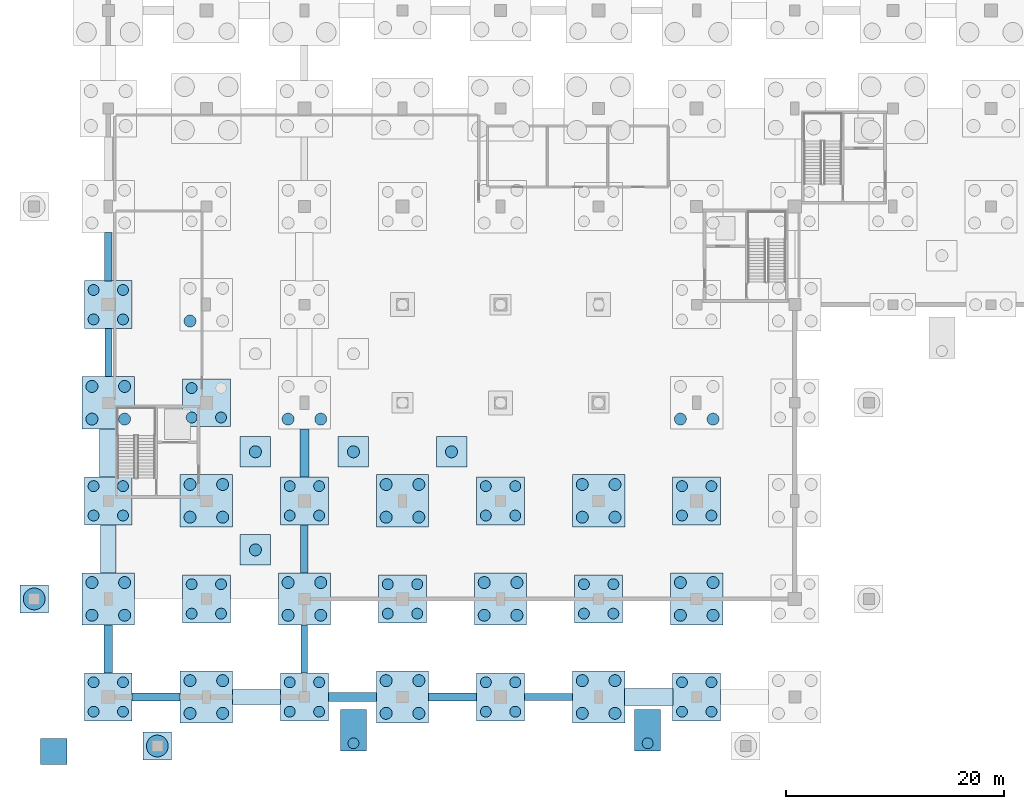
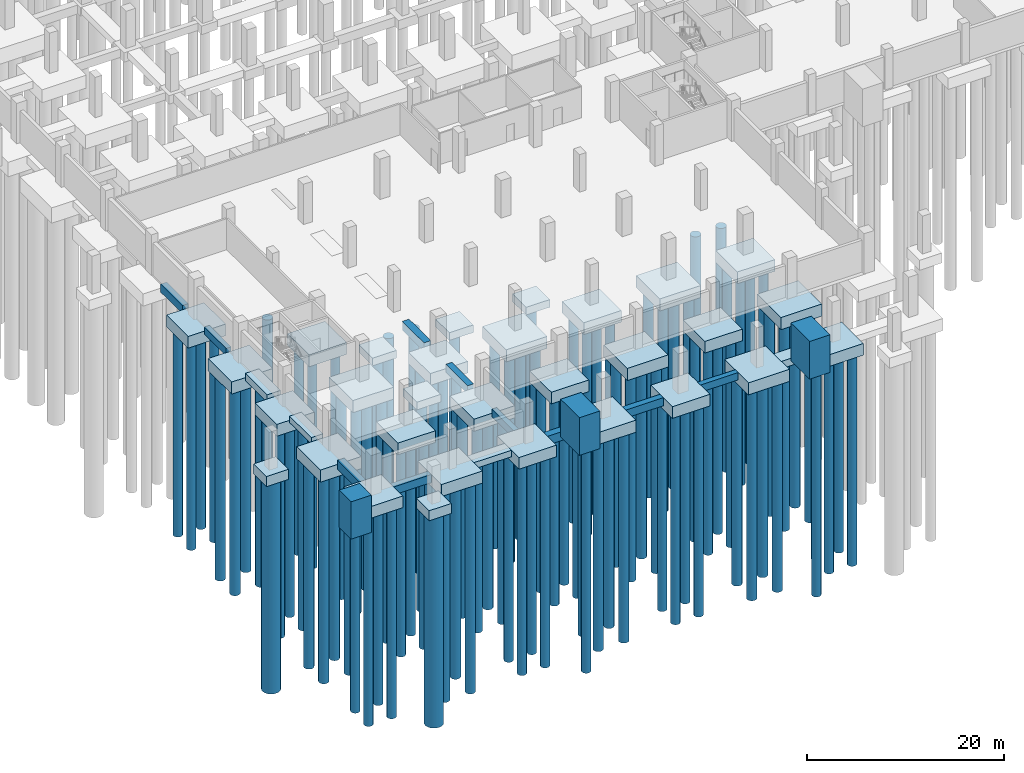
# One storey, part 1 of 37: 108 piles, 47 footings.
"""IFC4 building model written with IfcOpenShell, lengths in metres."""

from ifc_helpers import new_model, si_unit, direction, frame, origin, origin_2d, place, context, subcontext, project, spatial, rectangle, circle, extrude, material, material_profile, profile_set, type_object, element, save


model = new_model("IFC4")

# Units and contexts
model_context = context("Model", 3, precision=1e-05, world=origin(), true_north=direction((0.0, 1.0)))
body_context = subcontext(model_context, "Body", "Model", "MODEL_VIEW")
ifc_project = project(units=[si_unit("LENGTHUNIT", "METRE"), si_unit("AREAUNIT", "SQUARE_METRE"), si_unit("VOLUMEUNIT", "CUBIC_METRE"), si_unit("PLANEANGLEUNIT", "RADIAN"), si_unit("MASSUNIT", "GRAM", prefix="KILO")], contexts=[model_context])

# Site, building, storey
site_placement = place(None, origin())
site = spatial("IfcSite", under=ifc_project, at=site_placement, CompositionType="ELEMENT")
building_placement = place(site_placement, origin())
building = spatial("IfcBuilding", under=site, at=building_placement, Name="Barlavento Convention Centre", CompositionType="ELEMENT")
storey_placement = place(building_placement, frame((0.0, 0.0, -5.0)))
storey = spatial("IfcBuildingStorey", under=building, at=storey_placement, Name="B1", CompositionType="ELEMENT", Elevation=-5.0)

# Footings
ifc_material = material(Name="Concrete C40/50", Category="concrete")
footing_type_1 = type_object("IfcFootingType", Name="STR-FND-GB-600X900", PredefinedType="FOOTING_BEAM", material=ifc_material)
footing_1_placement = place(storey_placement, frame((40.39990234375, 0.0, -0.89990234375), z_axis=(0.0, 0.0, 1.0), x_axis=(1.0, 0.0, 0.0)))
element("IfcFooting", 1, at=footing_1_placement, inside=storey, type_object=footing_type_1, Name="Ground tie footing GB01", PredefinedType="FOOTING_BEAM", context=body_context, shape_type="SweptSolid", body=[
    extrude(rectangle(XDim=4.409912109375, YDim=0.60009765625, at=origin_2d()), origin(), (0.0, 0.0, 1.0), 0.89990234375),
])
for number, where, z_axis, x_axis, name in (
    (2, (0.0, 31.60009765625, -0.89990234375), (0.0, 0.0, 1.0), (1.0, 0.0, 0.0), "Ground tie footing GB01"),
    (3, (18.0, 4.39990234375, -0.89990234375), (0.0, 0.0, 1.0), (1.0, 0.0, 0.0), "Ground tie footing GB01"),
):
    element("IfcFooting", number, at=place(storey_placement, frame(where, z_axis=z_axis, x_axis=x_axis)), inside=storey, type_object=footing_type_1, Name=name, PredefinedType="FOOTING_BEAM", context=body_context, shape_type="SweptSolid", body=[
        extrude(rectangle(XDim=0.60009765625, YDim=4.409912109375, at=origin_2d()), origin(), (0.0, 0.0, 1.0), 0.89990234375),
    ])
footing_type_2 = type_object("IfcFootingType", Name="STR-FND-GB-700X1000", PredefinedType="FOOTING_BEAM", material=ifc_material)
for number, where, z_axis, x_axis, name in (
    (4, (4.39990234375, 0.0, -1.0), (0.0, 0.0, 1.0), (1.0, 0.0, 0.0), "Ground tie footing GB02"),
    (5, (31.60009765625, 0.0, -1.0), (0.0, 0.0, 1.0), (1.0, 0.0, 0.0), "Ground tie footing GB02"),
):
    element("IfcFooting", number, at=place(storey_placement, frame(where, z_axis=z_axis, x_axis=x_axis)), inside=storey, type_object=footing_type_2, Name=name, PredefinedType="FOOTING_BEAM", context=body_context, shape_type="SweptSolid", body=[
        extrude(rectangle(XDim=4.409912109375, YDim=0.699951171875, at=origin_2d()), origin(), (0.0, 0.0, 1.0), 1.0),
    ])
for number, where, z_axis, x_axis, name in (
    (6, (0.0, 40.39990234375, -1.0), (0.0, 0.0, 1.0), (1.0, 0.0, 0.0), "Ground tie footing GB02"),
    (7, (18.0, 13.60009765625, -1.0), (0.0, 0.0, 1.0), (1.0, 0.0, 0.0), "Ground tie footing GB02"),
):
    element("IfcFooting", number, at=place(storey_placement, frame(where, z_axis=z_axis, x_axis=x_axis)), inside=storey, type_object=footing_type_2, Name=name, PredefinedType="FOOTING_BEAM", context=body_context, shape_type="SweptSolid", body=[
        extrude(rectangle(XDim=0.699951171875, YDim=4.409912109375, at=origin_2d()), origin(), (0.0, 0.0, 1.0), 1.0),
    ])
footing_type_3 = type_object("IfcFootingType", Name="STR-FND-GB-800X1100", PredefinedType="FOOTING_BEAM", material=ifc_material)
footing_2_placement = place(storey_placement, frame((22.39990234375, 0.0, -1.10009765625), z_axis=(0.0, 0.0, 1.0), x_axis=(1.0, 0.0, 0.0)))
element("IfcFooting", 8, at=footing_2_placement, inside=storey, type_object=footing_type_3, Name="Ground tie footing GB03", PredefinedType="FOOTING_BEAM", context=body_context, shape_type="SweptSolid", body=[
    extrude(rectangle(XDim=4.409912109375, YDim=0.800048828125, at=origin_2d()), origin(), (0.0, 0.0, 1.0), 1.10009765625),
])
for number, where, z_axis, x_axis, name in (
    (9, (0.0, 4.39990234375, -1.10009765625), (0.0, 0.0, 1.0), (1.0, 0.0, 0.0), "Ground tie footing GB03"),
    (10, (18.0, 22.39990234375, -1.10009765625), (0.0, 0.0, 1.0), (1.0, 0.0, 0.0), "Ground tie footing GB03"),
):
    element("IfcFooting", number, at=place(storey_placement, frame(where, z_axis=z_axis, x_axis=x_axis)), inside=storey, type_object=footing_type_3, Name=name, PredefinedType="FOOTING_BEAM", context=body_context, shape_type="SweptSolid", body=[
        extrude(rectangle(XDim=0.800048828125, YDim=4.409912109375, at=origin_2d()), origin(), (0.0, 0.0, 1.0), 1.10009765625),
    ])
footing_type_4 = type_object("IfcFootingType", Name="STR-FND-PAD-2800", PredefinedType="PAD_FOOTING", material=ifc_material)
for number, where, z_axis, x_axis, name in (
    (11, (13.5, 13.5, -1.47021484375), (0.0, 0.0, 1.0), (1.0, 0.0, 0.0), "B1 heavy plant equipment pad footing FND-EQP-0305"),
    (12, (13.5, 22.5, -1.47021484375), (0.0, 0.0, 1.0), (1.0, 0.0, 0.0), "B1 heavy plant equipment pad footing FND-EQP-0306"),
    (13, (22.5, 22.5, -1.47021484375), (0.0, 0.0, 1.0), (1.0, 0.0, 0.0), "B1 heavy plant equipment pad footing FND-EQP-0308"),
    (14, (31.5, 22.5, -1.47021484375), (0.0, 0.0, 1.0), (1.0, 0.0, 0.0), "B1 heavy plant equipment pad footing FND-EQP-0310"),
):
    element("IfcFooting", number, at=place(storey_placement, frame(where, z_axis=z_axis, x_axis=x_axis)), inside=storey, type_object=footing_type_4, Name=name, PredefinedType="PAD_FOOTING", context=body_context, shape_type="SweptSolid", body=[
        extrude(rectangle(XDim=2.800048828125, YDim=2.800048828125, at=origin_2d()), origin(), (0.0, 0.0, 1.0), 0.949951171875),
    ])
footing_type_5 = type_object("IfcFootingType", Name="STR-FND-PAD-APR-2400", PredefinedType="PAD_FOOTING", material=ifc_material)
footing_3_placement = place(storey_placement, frame((-5.0, -5.0, 0.0), z_axis=(0.0, 0.0, 1.0), x_axis=(1.0, 0.0, 0.0)))
element("IfcFooting", 15, at=footing_3_placement, inside=storey, type_object=footing_type_5, Name="Perimeter plaza apron foundation pad FND-PAD-APR-01", PredefinedType="PAD_FOOTING", context=body_context, shape_type="SweptSolid", body=[
    extrude(rectangle(XDim=2.39990234375, YDim=2.39990234375, at=origin_2d()), origin(), (0.0, 0.0, 1.0), 4.639892578125),
])
footing_type_6 = type_object("IfcFootingType", Name="STR-FND-PC-2600", PredefinedType="PILE_CAP", material=ifc_material)
for number, where, z_axis, x_axis, name in (
    (16, (4.5, -4.5, -1.25), (0.0, 0.0, 1.0), (1.0, 0.0, 0.0), "Canopy V-strut anchor pile cap FND-CAP-0315"),
    (17, (-6.800048828125, 9.0, -1.25), (0.0, 0.0, 1.0), (1.0, 0.0, 0.0), "Canopy V-strut anchor pile cap FND-CAP-0317"),
):
    element("IfcFooting", number, at=place(storey_placement, frame(where, z_axis=z_axis, x_axis=x_axis)), inside=storey, type_object=footing_type_6, Name=name, PredefinedType="PILE_CAP", context=body_context, shape_type="SweptSolid", body=[
        extrude(rectangle(XDim=2.60009765625, YDim=2.60009765625, at=origin_2d()), origin(), (0.0, 0.0, 1.0), 1.25),
    ])
footing_type_7 = type_object("IfcFootingType", Name="STR-FND-PC4-4400", PredefinedType="PILE_CAP", material=ifc_material)
for number, where, z_axis, x_axis, name in (
    (18, (0.0, 0.0, -1.4501953125), (0.0, 0.0, 1.0), (1.0, 0.0, 0.0), "Pile cap PC07 at 1-A"),
    (19, (0.0, 18.0, -1.97021484375), (0.0, 0.0, 1.0), (1.0, 0.0, 0.0), "Pile cap PC07 at 1-C"),
    (20, (0.0, 36.0, -1.97021484375), (0.0, 0.0, 1.0), (1.0, 0.0, 0.0), "Pile cap PC07 at 1-E"),
    (21, (9.0, 9.0, -1.97021484375), (0.0, 0.0, 1.0), (1.0, 0.0, 0.0), "Pile cap PC07 at 2-B"),
    (22, (9.0, 27.0, -1.97021484375), (0.0, 0.0, 1.0), (1.0, 0.0, 0.0), "Pile cap PC07 at 2-D"),
    (23, (18.0, 0.0, -1.4501953125), (0.0, 0.0, 1.0), (1.0, 0.0, 0.0), "Pile cap PC07 at 3-A"),
    (24, (18.0, 18.0, -1.97021484375), (0.0, 0.0, 1.0), (1.0, 0.0, 0.0), "Pile cap PC07 at 3-C"),
    (25, (27.0, 9.0, -1.97021484375), (0.0, 0.0, 1.0), (1.0, 0.0, 0.0), "Pile cap PC07 at 4-B"),
    (26, (36.0, 0.0, -1.4501953125), (0.0, 0.0, 1.0), (1.0, 0.0, 0.0), "Pile cap PC07 at 5-A"),
    (27, (36.0, 18.0, -1.97021484375), (0.0, 0.0, 1.0), (1.0, 0.0, 0.0), "Pile cap PC07 at 5-C"),
    (28, (45.0, 9.0, -1.97021484375), (0.0, 0.0, 1.0), (1.0, 0.0, 0.0), "Pile cap PC07 at 6-B"),
    (29, (54.0, 0.0, -1.4501953125), (0.0, 0.0, 1.0), (1.0, 0.0, 0.0), "Pile cap PC07 at 7-A"),
    (30, (54.0, 18.0, -1.97021484375), (0.0, 0.0, 1.0), (1.0, 0.0, 0.0), "Pile cap PC07 at 7-C"),
):
    element("IfcFooting", number, at=place(storey_placement, frame(where, z_axis=z_axis, x_axis=x_axis)), inside=storey, type_object=footing_type_7, Name=name, PredefinedType="PILE_CAP", context=body_context, shape_type="SweptSolid", body=[
        extrude(rectangle(XDim=4.39990234375, YDim=4.39990234375, at=origin_2d()), origin(), (0.0, 0.0, 1.0), 1.449951171875),
    ])
footing_type_8 = type_object("IfcFootingType", Name="STR-FND-PC4-4800", PredefinedType="PILE_CAP", material=ifc_material)
for number, where, z_axis, x_axis, name in (
    (31, (0.0, 9.0, -2.02001953125), (0.0, 0.0, 1.0), (1.0, 0.0, 0.0), "Pile cap PC08 at 1-B"),
    (32, (0.0, 27.0, -2.02001953125), (0.0, 0.0, 1.0), (1.0, 0.0, 0.0), "Pile cap PC08 at 1-D"),
    (33, (9.0, 0.0, -1.5), (0.0, 0.0, 1.0), (1.0, 0.0, 0.0), "Pile cap PC08 at 2-A"),
    (34, (9.0, 18.0, -2.02001953125), (0.0, 0.0, 1.0), (1.0, 0.0, 0.0), "Pile cap PC08 at 2-C"),
    (35, (18.0, 9.0, -2.02001953125), (0.0, 0.0, 1.0), (1.0, 0.0, 0.0), "Pile cap PC08 at 3-B"),
    (36, (27.0, 0.0, -1.5), (0.0, 0.0, 1.0), (1.0, 0.0, 0.0), "Pile cap PC08 at 4-A"),
    (37, (27.0, 18.0, -2.02001953125), (0.0, 0.0, 1.0), (1.0, 0.0, 0.0), "Pile cap PC08 at 4-C"),
    (38, (36.0, 9.0, -2.02001953125), (0.0, 0.0, 1.0), (1.0, 0.0, 0.0), "Pile cap PC08 at 5-B"),
    (39, (45.0, 0.0, -1.5), (0.0, 0.0, 1.0), (1.0, 0.0, 0.0), "Pile cap PC08 at 6-A"),
    (40, (45.0, 18.0, -2.02001953125), (0.0, 0.0, 1.0), (1.0, 0.0, 0.0), "Pile cap PC08 at 6-C"),
    (41, (54.0, 9.0, -2.02001953125), (0.0, 0.0, 1.0), (1.0, 0.0, 0.0), "Pile cap PC08 at 7-B"),
):
    element("IfcFooting", number, at=place(storey_placement, frame(where, z_axis=z_axis, x_axis=x_axis)), inside=storey, type_object=footing_type_8, Name=name, PredefinedType="PILE_CAP", context=body_context, shape_type="SweptSolid", body=[
        extrude(rectangle(XDim=4.800048828125, YDim=4.800048828125, at=origin_2d()), origin(), (0.0, 0.0, 1.0), 1.5),
    ])
footing_type_9 = type_object("IfcFootingType", Name="STR-FND-RMP-PAD", PredefinedType="PAD_FOOTING", material=ifc_material)
for number, where, z_axis, x_axis, name in (
    (42, (22.5, -3.050048828125, 0.0), (0.0, 0.0, 1.0), (1.0, 0.0, 0.0), "Approach ramp foundation pad AR-01"),
    (43, (49.5, -3.050048828125, 0.0), (0.0, 0.0, 1.0), (1.0, 0.0, 0.0), "Approach ramp foundation pad AR-01"),
):
    element("IfcFooting", number, at=place(storey_placement, frame(where, z_axis=z_axis, x_axis=x_axis)), inside=storey, type_object=footing_type_9, Name=name, PredefinedType="PAD_FOOTING", context=body_context, shape_type="SweptSolid", body=[
        extrude(rectangle(XDim=2.39990234375, YDim=3.800048828125, at=origin_2d()), origin(), (0.0, 0.0, 1.0), 4.679931640625),
    ])
footing_type_10 = type_object("IfcFootingType", Name="STR-FND-SF-1400X800", PredefinedType="STRIP_FOOTING", material=ifc_material)
footing_4_placement = place(storey_placement, frame((13.60009765625, 0.0, -0.7998046875), z_axis=(0.0, 0.0, 1.0), x_axis=(1.0, 0.0, 0.0)))
element("IfcFooting", 44, at=footing_4_placement, inside=storey, type_object=footing_type_10, Name="Ground tie footing SF01", PredefinedType="STRIP_FOOTING", context=body_context, shape_type="SweptSolid", body=[
    extrude(rectangle(XDim=4.409912109375, YDim=1.39990234375, at=origin_2d()), origin(), (0.0, 0.0, 1.0), 0.800048828125),
])
footing_5_placement = place(storey_placement, frame((0.0, 13.60009765625, -0.7998046875), z_axis=(0.0, 0.0, 1.0), x_axis=(1.0, 0.0, 0.0)))
element("IfcFooting", 45, at=footing_5_placement, inside=storey, type_object=footing_type_10, Name="Ground tie footing SF01", PredefinedType="STRIP_FOOTING", context=body_context, shape_type="SweptSolid", body=[
    extrude(rectangle(XDim=1.39990234375, YDim=4.409912109375, at=origin_2d()), origin(), (0.0, 0.0, 1.0), 0.800048828125),
])
footing_type_11 = type_object("IfcFootingType", Name="STR-FND-SF-1600X900", PredefinedType="STRIP_FOOTING", material=ifc_material)
footing_6_placement = place(storey_placement, frame((49.60009765625, 0.0, -0.89990234375), z_axis=(0.0, 0.0, 1.0), x_axis=(1.0, 0.0, 0.0)))
element("IfcFooting", 46, at=footing_6_placement, inside=storey, type_object=footing_type_11, Name="Ground tie footing SF02", PredefinedType="STRIP_FOOTING", context=body_context, shape_type="SweptSolid", body=[
    extrude(rectangle(XDim=4.409912109375, YDim=1.60009765625, at=origin_2d()), origin(), (0.0, 0.0, 1.0), 0.89990234375),
])
footing_7_placement = place(storey_placement, frame((0.0, 22.39990234375, -0.89990234375), z_axis=(0.0, 0.0, 1.0), x_axis=(1.0, 0.0, 0.0)))
element("IfcFooting", 47, at=footing_7_placement, inside=storey, type_object=footing_type_11, Name="Ground tie footing SF02", PredefinedType="STRIP_FOOTING", context=body_context, shape_type="SweptSolid", body=[
    extrude(rectangle(XDim=1.60009765625, YDim=4.409912109375, at=origin_2d()), origin(), (0.0, 0.0, 1.0), 0.89990234375),
])

# Piles
ifc_material_profile_1 = material_profile(ifc_material, circle(Radius=0.5, at=origin_2d()), Name="BORED PILE 1000")
ifc_profile_set_1 = profile_set([ifc_material_profile_1], Name="Concrete C40/50")
pile_type_1 = type_object("IfcPileType", Name="STR-PIL-B1000", PredefinedType="BORED", material=ifc_profile_set_1)
for number, where, z_axis, x_axis, name in (
    (48, (-1.35009765625, -1.35009765625, -1.35009765625), (0.0, 0.0, -1.0), (1.0, 0.0, 0.0), "Bored pile P10 under FND-CAP-0001"),
    (49, (1.35009765625, -1.35009765625, -1.35009765625), (0.0, 0.0, -1.0), (1.0, 0.0, 0.0), "Bored pile P10 under FND-CAP-0001"),
    (50, (-1.35009765625, 1.35009765625, -1.35009765625), (0.0, 0.0, -1.0), (1.0, 0.0, 0.0), "Bored pile P10 under FND-CAP-0001"),
    (51, (1.35009765625, 1.35009765625, -1.35009765625), (0.0, 0.0, -1.0), (1.0, 0.0, 0.0), "Bored pile P10 under FND-CAP-0001"),
):
    element("IfcPile", number, at=place(storey_placement, frame(where, z_axis=z_axis, x_axis=x_axis)), inside=storey, type_object=pile_type_1, Name=name, PredefinedType="BORED", context=body_context, shape_type="SweptSolid", body=[
        extrude(circle(Radius=0.5, at=origin_2d()), origin(), (0.0, 0.0, 1.0), 26.14990234375),
    ])
for number, where, z_axis, x_axis, name in (
    (52, (-1.35009765625, 16.64990234375, -1.8701171875), (0.0, 0.0, -1.0), (1.0, 0.0, 0.0), "Bored pile P10 under FND-CAP-0003"),
    (53, (1.35009765625, 16.64990234375, -1.8701171875), (0.0, 0.0, -1.0), (1.0, 0.0, 0.0), "Bored pile P10 under FND-CAP-0003"),
    (54, (-1.35009765625, 19.35009765625, -1.8701171875), (0.0, 0.0, -1.0), (1.0, 0.0, 0.0), "Bored pile P10 under FND-CAP-0003"),
    (55, (1.35009765625, 19.35009765625, -1.8701171875), (0.0, 0.0, -1.0), (1.0, 0.0, 0.0), "Bored pile P10 under FND-CAP-0003"),
    (56, (-1.35009765625, 34.64990234375, -1.8701171875), (0.0, 0.0, -1.0), (1.0, 0.0, 0.0), "Bored pile P10 under FND-CAP-0005"),
    (57, (1.35009765625, 34.64990234375, -1.8701171875), (0.0, 0.0, -1.0), (1.0, 0.0, 0.0), "Bored pile P10 under FND-CAP-0005"),
    (58, (-1.35009765625, 37.35009765625, -1.8701171875), (0.0, 0.0, -1.0), (1.0, 0.0, 0.0), "Bored pile P10 under FND-CAP-0005"),
    (59, (1.35009765625, 37.35009765625, -1.8701171875), (0.0, 0.0, -1.0), (1.0, 0.0, 0.0), "Bored pile P10 under FND-CAP-0005"),
    (60, (7.64990234375, 7.64990234375, -1.8701171875), (0.0, 0.0, -1.0), (1.0, 0.0, 0.0), "Bored pile P10 under FND-CAP-0015"),
    (61, (10.35009765625, 7.64990234375, -1.8701171875), (0.0, 0.0, -1.0), (1.0, 0.0, 0.0), "Bored pile P10 under FND-CAP-0015"),
    (62, (7.64990234375, 10.35009765625, -1.8701171875), (0.0, 0.0, -1.0), (1.0, 0.0, 0.0), "Bored pile P10 under FND-CAP-0015"),
    (63, (10.35009765625, 10.35009765625, -1.8701171875), (0.0, 0.0, -1.0), (1.0, 0.0, 0.0), "Bored pile P10 under FND-CAP-0015"),
    (64, (7.64990234375, 25.64990234375, -1.8701171875), (0.0, 0.0, -1.0), (1.0, 0.0, 0.0), "Bored pile P10 under FND-CAP-0017"),
    (65, (10.35009765625, 25.64990234375, -1.8701171875), (0.0, 0.0, -1.0), (1.0, 0.0, 0.0), "Bored pile P10 under FND-CAP-0017"),
    (66, (7.64990234375, 28.35009765625, -1.8701171875), (0.0, 0.0, -1.0), (1.0, 0.0, 0.0), "Bored pile P10 under FND-CAP-0017"),
):
    element("IfcPile", number, at=place(storey_placement, frame(where, z_axis=z_axis, x_axis=x_axis)), inside=storey, type_object=pile_type_1, Name=name, PredefinedType="BORED", context=body_context, shape_type="SweptSolid", body=[
        extrude(circle(Radius=0.5, at=origin_2d()), origin(), (0.0, 0.0, 1.0), 25.6298828125),
    ])
for number, where, z_axis, x_axis, name in (
    (67, (16.64990234375, -1.35009765625, -1.35009765625), (0.0, 0.0, -1.0), (1.0, 0.0, 0.0), "Bored pile P10 under FND-CAP-0029"),
    (68, (19.35009765625, -1.35009765625, -1.35009765625), (0.0, 0.0, -1.0), (1.0, 0.0, 0.0), "Bored pile P10 under FND-CAP-0029"),
    (69, (16.64990234375, 1.35009765625, -1.35009765625), (0.0, 0.0, -1.0), (1.0, 0.0, 0.0), "Bored pile P10 under FND-CAP-0029"),
    (70, (19.35009765625, 1.35009765625, -1.35009765625), (0.0, 0.0, -1.0), (1.0, 0.0, 0.0), "Bored pile P10 under FND-CAP-0029"),
):
    element("IfcPile", number, at=place(storey_placement, frame(where, z_axis=z_axis, x_axis=x_axis)), inside=storey, type_object=pile_type_1, Name=name, PredefinedType="BORED", context=body_context, shape_type="SweptSolid", body=[
        extrude(circle(Radius=0.5, at=origin_2d()), origin(), (0.0, 0.0, 1.0), 26.14990234375),
    ])
for number, where, z_axis, x_axis, name in (
    (71, (16.64990234375, 16.64990234375, -1.8701171875), (0.0, 0.0, -1.0), (1.0, 0.0, 0.0), "Bored pile P10 under FND-CAP-0031"),
    (72, (19.35009765625, 16.64990234375, -1.8701171875), (0.0, 0.0, -1.0), (1.0, 0.0, 0.0), "Bored pile P10 under FND-CAP-0031"),
    (73, (16.64990234375, 19.35009765625, -1.8701171875), (0.0, 0.0, -1.0), (1.0, 0.0, 0.0), "Bored pile P10 under FND-CAP-0031"),
    (74, (19.35009765625, 19.35009765625, -1.8701171875), (0.0, 0.0, -1.0), (1.0, 0.0, 0.0), "Bored pile P10 under FND-CAP-0031"),
    (75, (25.64990234375, 7.64990234375, -1.8701171875), (0.0, 0.0, -1.0), (1.0, 0.0, 0.0), "Bored pile P10 under FND-CAP-0045"),
    (76, (28.35009765625, 7.64990234375, -1.8701171875), (0.0, 0.0, -1.0), (1.0, 0.0, 0.0), "Bored pile P10 under FND-CAP-0045"),
    (77, (25.64990234375, 10.35009765625, -1.8701171875), (0.0, 0.0, -1.0), (1.0, 0.0, 0.0), "Bored pile P10 under FND-CAP-0045"),
    (78, (28.35009765625, 10.35009765625, -1.8701171875), (0.0, 0.0, -1.0), (1.0, 0.0, 0.0), "Bored pile P10 under FND-CAP-0045"),
):
    element("IfcPile", number, at=place(storey_placement, frame(where, z_axis=z_axis, x_axis=x_axis)), inside=storey, type_object=pile_type_1, Name=name, PredefinedType="BORED", context=body_context, shape_type="SweptSolid", body=[
        extrude(circle(Radius=0.5, at=origin_2d()), origin(), (0.0, 0.0, 1.0), 25.6298828125),
    ])
for number, where, z_axis, x_axis, name in (
    (79, (34.64990234375, -1.35009765625, -1.35009765625), (0.0, 0.0, -1.0), (1.0, 0.0, 0.0), "Bored pile P10 under FND-CAP-0059"),
    (80, (37.35009765625, -1.35009765625, -1.35009765625), (0.0, 0.0, -1.0), (1.0, 0.0, 0.0), "Bored pile P10 under FND-CAP-0059"),
    (81, (34.64990234375, 1.35009765625, -1.35009765625), (0.0, 0.0, -1.0), (1.0, 0.0, 0.0), "Bored pile P10 under FND-CAP-0059"),
    (82, (37.35009765625, 1.35009765625, -1.35009765625), (0.0, 0.0, -1.0), (1.0, 0.0, 0.0), "Bored pile P10 under FND-CAP-0059"),
):
    element("IfcPile", number, at=place(storey_placement, frame(where, z_axis=z_axis, x_axis=x_axis)), inside=storey, type_object=pile_type_1, Name=name, PredefinedType="BORED", context=body_context, shape_type="SweptSolid", body=[
        extrude(circle(Radius=0.5, at=origin_2d()), origin(), (0.0, 0.0, 1.0), 26.14990234375),
    ])
for number, where, z_axis, x_axis, name in (
    (83, (34.64990234375, 16.64990234375, -1.8701171875), (0.0, 0.0, -1.0), (1.0, 0.0, 0.0), "Bored pile P10 under FND-CAP-0061"),
    (84, (37.35009765625, 16.64990234375, -1.8701171875), (0.0, 0.0, -1.0), (1.0, 0.0, 0.0), "Bored pile P10 under FND-CAP-0061"),
    (85, (34.64990234375, 19.35009765625, -1.8701171875), (0.0, 0.0, -1.0), (1.0, 0.0, 0.0), "Bored pile P10 under FND-CAP-0061"),
    (86, (37.35009765625, 19.35009765625, -1.8701171875), (0.0, 0.0, -1.0), (1.0, 0.0, 0.0), "Bored pile P10 under FND-CAP-0061"),
    (87, (43.64990234375, 7.64990234375, -1.8701171875), (0.0, 0.0, -1.0), (1.0, 0.0, 0.0), "Bored pile P10 under FND-CAP-0075"),
    (88, (46.35009765625, 7.64990234375, -1.8701171875), (0.0, 0.0, -1.0), (1.0, 0.0, 0.0), "Bored pile P10 under FND-CAP-0075"),
    (89, (43.64990234375, 10.35009765625, -1.8701171875), (0.0, 0.0, -1.0), (1.0, 0.0, 0.0), "Bored pile P10 under FND-CAP-0075"),
    (90, (46.35009765625, 10.35009765625, -1.8701171875), (0.0, 0.0, -1.0), (1.0, 0.0, 0.0), "Bored pile P10 under FND-CAP-0075"),
):
    element("IfcPile", number, at=place(storey_placement, frame(where, z_axis=z_axis, x_axis=x_axis)), inside=storey, type_object=pile_type_1, Name=name, PredefinedType="BORED", context=body_context, shape_type="SweptSolid", body=[
        extrude(circle(Radius=0.5, at=origin_2d()), origin(), (0.0, 0.0, 1.0), 25.6298828125),
    ])
for number, where, z_axis, x_axis, name in (
    (91, (52.64990234375, -1.35009765625, -1.35009765625), (0.0, 0.0, -1.0), (1.0, 0.0, 0.0), "Bored pile P10 under FND-CAP-0089"),
    (92, (55.35009765625, -1.35009765625, -1.35009765625), (0.0, 0.0, -1.0), (1.0, 0.0, 0.0), "Bored pile P10 under FND-CAP-0089"),
    (93, (52.64990234375, 1.35009765625, -1.35009765625), (0.0, 0.0, -1.0), (1.0, 0.0, 0.0), "Bored pile P10 under FND-CAP-0089"),
    (94, (55.35009765625, 1.35009765625, -1.35009765625), (0.0, 0.0, -1.0), (1.0, 0.0, 0.0), "Bored pile P10 under FND-CAP-0089"),
):
    element("IfcPile", number, at=place(storey_placement, frame(where, z_axis=z_axis, x_axis=x_axis)), inside=storey, type_object=pile_type_1, Name=name, PredefinedType="BORED", context=body_context, shape_type="SweptSolid", body=[
        extrude(circle(Radius=0.5, at=origin_2d()), origin(), (0.0, 0.0, 1.0), 26.14990234375),
    ])
for number, where, z_axis, x_axis, name in (
    (95, (52.64990234375, 16.64990234375, -1.8701171875), (0.0, 0.0, -1.0), (1.0, 0.0, 0.0), "Bored pile P10 under FND-CAP-0091"),
    (96, (55.35009765625, 16.64990234375, -1.8701171875), (0.0, 0.0, -1.0), (1.0, 0.0, 0.0), "Bored pile P10 under FND-CAP-0091"),
    (97, (52.64990234375, 19.35009765625, -1.8701171875), (0.0, 0.0, -1.0), (1.0, 0.0, 0.0), "Bored pile P10 under FND-CAP-0091"),
    (98, (55.35009765625, 19.35009765625, -1.8701171875), (0.0, 0.0, -1.0), (1.0, 0.0, 0.0), "Bored pile P10 under FND-CAP-0091"),
):
    element("IfcPile", number, at=place(storey_placement, frame(where, z_axis=z_axis, x_axis=x_axis)), inside=storey, type_object=pile_type_1, Name=name, PredefinedType="BORED", context=body_context, shape_type="SweptSolid", body=[
        extrude(circle(Radius=0.5, at=origin_2d()), origin(), (0.0, 0.0, 1.0), 25.6298828125),
    ])
for number, where, z_axis, x_axis, name in (
    (99, (22.5, -4.25, 0.10009765625), (0.0, 0.0, -1.0), (1.0, 0.0, 0.0), "Approach ramp foundation pile AR-01"),
    (100, (49.5, -4.25, 0.10009765625), (0.0, 0.0, -1.0), (1.0, 0.0, 0.0), "Approach ramp foundation pile AR-01"),
):
    element("IfcPile", number, at=place(storey_placement, frame(where, z_axis=z_axis, x_axis=x_axis)), inside=storey, type_object=pile_type_1, Name=name, PredefinedType="BORED", context=body_context, shape_type="SweptSolid", body=[
        extrude(circle(Radius=0.5, at=origin_2d()), origin(), (0.0, 0.0, 1.0), 27.60009765625),
    ])
ifc_material_profile_2 = material_profile(ifc_material, circle(Radius=0.550048828125, at=origin_2d()), Name="BORED PILE 1100")
ifc_profile_set_2 = profile_set([ifc_material_profile_2], Name="Concrete C40/50")
pile_type_2 = type_object("IfcPileType", Name="STR-PIL-B1100", PredefinedType="BORED", material=ifc_profile_set_2)
for number, where, z_axis, x_axis, name in (
    (101, (-1.5, 7.5, -1.919921875), (0.0, 0.0, -1.0), (1.0, 0.0, 0.0), "Bored pile P11 under FND-CAP-0002"),
    (102, (1.5, 7.5, -1.919921875), (0.0, 0.0, -1.0), (1.0, 0.0, 0.0), "Bored pile P11 under FND-CAP-0002"),
    (103, (-1.5, 10.5, -1.919921875), (0.0, 0.0, -1.0), (1.0, 0.0, 0.0), "Bored pile P11 under FND-CAP-0002"),
    (104, (1.5, 10.5, -1.919921875), (0.0, 0.0, -1.0), (1.0, 0.0, 0.0), "Bored pile P11 under FND-CAP-0002"),
    (105, (-1.5, 25.5, -1.919921875), (0.0, 0.0, -1.0), (1.0, 0.0, 0.0), "Bored pile P11 under FND-CAP-0004"),
    (106, (1.5, 25.5, -1.919921875), (0.0, 0.0, -1.0), (1.0, 0.0, 0.0), "Bored pile P11 under FND-CAP-0004"),
    (107, (-1.5, 28.5, -1.919921875), (0.0, 0.0, -1.0), (1.0, 0.0, 0.0), "Bored pile P11 under FND-CAP-0004"),
    (108, (1.5, 28.5, -1.919921875), (0.0, 0.0, -1.0), (1.0, 0.0, 0.0), "Bored pile P11 under FND-CAP-0004"),
):
    element("IfcPile", number, at=place(storey_placement, frame(where, z_axis=z_axis, x_axis=x_axis)), inside=storey, type_object=pile_type_2, Name=name, PredefinedType="BORED", context=body_context, shape_type="SweptSolid", body=[
        extrude(circle(Radius=0.550048828125, at=origin_2d()), origin(), (0.0, 0.0, 1.0), 25.580078125),
    ])
for number, where, z_axis, x_axis, name in (
    (109, (7.5, -1.5, -1.39990234375), (0.0, 0.0, -1.0), (1.0, 0.0, 0.0), "Bored pile P11 under FND-CAP-0014"),
    (110, (10.5, -1.5, -1.39990234375), (0.0, 0.0, -1.0), (1.0, 0.0, 0.0), "Bored pile P11 under FND-CAP-0014"),
    (111, (7.5, 1.5, -1.39990234375), (0.0, 0.0, -1.0), (1.0, 0.0, 0.0), "Bored pile P11 under FND-CAP-0014"),
    (112, (10.5, 1.5, -1.39990234375), (0.0, 0.0, -1.0), (1.0, 0.0, 0.0), "Bored pile P11 under FND-CAP-0014"),
):
    element("IfcPile", number, at=place(storey_placement, frame(where, z_axis=z_axis, x_axis=x_axis)), inside=storey, type_object=pile_type_2, Name=name, PredefinedType="BORED", context=body_context, shape_type="SweptSolid", body=[
        extrude(circle(Radius=0.550048828125, at=origin_2d()), origin(), (0.0, 0.0, 1.0), 26.10009765625),
    ])
for number, where, z_axis, x_axis, name in (
    (113, (7.5, 16.5, -1.919921875), (0.0, 0.0, -1.0), (1.0, 0.0, 0.0), "Bored pile P11 under FND-CAP-0016"),
    (114, (10.5, 16.5, -1.919921875), (0.0, 0.0, -1.0), (1.0, 0.0, 0.0), "Bored pile P11 under FND-CAP-0016"),
    (115, (7.5, 19.5, -1.919921875), (0.0, 0.0, -1.0), (1.0, 0.0, 0.0), "Bored pile P11 under FND-CAP-0016"),
    (116, (10.5, 19.5, -1.919921875), (0.0, 0.0, -1.0), (1.0, 0.0, 0.0), "Bored pile P11 under FND-CAP-0016"),
    (117, (7.5, 34.5, -1.919921875), (0.0, 0.0, -1.0), (1.0, 0.0, 0.0), "Bored pile P11 under FND-CAP-0018"),
    (118, (16.5, 7.5, -1.919921875), (0.0, 0.0, -1.0), (1.0, 0.0, 0.0), "Bored pile P11 under FND-CAP-0030"),
    (119, (19.5, 7.5, -1.919921875), (0.0, 0.0, -1.0), (1.0, 0.0, 0.0), "Bored pile P11 under FND-CAP-0030"),
    (120, (16.5, 10.5, -1.919921875), (0.0, 0.0, -1.0), (1.0, 0.0, 0.0), "Bored pile P11 under FND-CAP-0030"),
    (121, (19.5, 10.5, -1.919921875), (0.0, 0.0, -1.0), (1.0, 0.0, 0.0), "Bored pile P11 under FND-CAP-0030"),
    (122, (16.5, 25.5, -1.919921875), (0.0, 0.0, -1.0), (1.0, 0.0, 0.0), "Bored pile P11 under FND-CAP-0032"),
    (123, (19.5, 25.5, -1.919921875), (0.0, 0.0, -1.0), (1.0, 0.0, 0.0), "Bored pile P11 under FND-CAP-0032"),
):
    element("IfcPile", number, at=place(storey_placement, frame(where, z_axis=z_axis, x_axis=x_axis)), inside=storey, type_object=pile_type_2, Name=name, PredefinedType="BORED", context=body_context, shape_type="SweptSolid", body=[
        extrude(circle(Radius=0.550048828125, at=origin_2d()), origin(), (0.0, 0.0, 1.0), 25.580078125),
    ])
for number, where, z_axis, x_axis, name in (
    (124, (25.5, -1.5, -1.39990234375), (0.0, 0.0, -1.0), (1.0, 0.0, 0.0), "Bored pile P11 under FND-CAP-0044"),
    (125, (28.5, -1.5, -1.39990234375), (0.0, 0.0, -1.0), (1.0, 0.0, 0.0), "Bored pile P11 under FND-CAP-0044"),
    (126, (25.5, 1.5, -1.39990234375), (0.0, 0.0, -1.0), (1.0, 0.0, 0.0), "Bored pile P11 under FND-CAP-0044"),
    (127, (28.5, 1.5, -1.39990234375), (0.0, 0.0, -1.0), (1.0, 0.0, 0.0), "Bored pile P11 under FND-CAP-0044"),
):
    element("IfcPile", number, at=place(storey_placement, frame(where, z_axis=z_axis, x_axis=x_axis)), inside=storey, type_object=pile_type_2, Name=name, PredefinedType="BORED", context=body_context, shape_type="SweptSolid", body=[
        extrude(circle(Radius=0.550048828125, at=origin_2d()), origin(), (0.0, 0.0, 1.0), 26.10009765625),
    ])
for number, where, z_axis, x_axis, name in (
    (128, (25.5, 16.5, -1.919921875), (0.0, 0.0, -1.0), (1.0, 0.0, 0.0), "Bored pile P11 under FND-CAP-0046"),
    (129, (28.5, 16.5, -1.919921875), (0.0, 0.0, -1.0), (1.0, 0.0, 0.0), "Bored pile P11 under FND-CAP-0046"),
    (130, (25.5, 19.5, -1.919921875), (0.0, 0.0, -1.0), (1.0, 0.0, 0.0), "Bored pile P11 under FND-CAP-0046"),
    (131, (28.5, 19.5, -1.919921875), (0.0, 0.0, -1.0), (1.0, 0.0, 0.0), "Bored pile P11 under FND-CAP-0046"),
    (132, (34.5, 7.5, -1.919921875), (0.0, 0.0, -1.0), (1.0, 0.0, 0.0), "Bored pile P11 under FND-CAP-0060"),
    (133, (37.5, 7.5, -1.919921875), (0.0, 0.0, -1.0), (1.0, 0.0, 0.0), "Bored pile P11 under FND-CAP-0060"),
    (134, (34.5, 10.5, -1.919921875), (0.0, 0.0, -1.0), (1.0, 0.0, 0.0), "Bored pile P11 under FND-CAP-0060"),
    (135, (37.5, 10.5, -1.919921875), (0.0, 0.0, -1.0), (1.0, 0.0, 0.0), "Bored pile P11 under FND-CAP-0060"),
):
    element("IfcPile", number, at=place(storey_placement, frame(where, z_axis=z_axis, x_axis=x_axis)), inside=storey, type_object=pile_type_2, Name=name, PredefinedType="BORED", context=body_context, shape_type="SweptSolid", body=[
        extrude(circle(Radius=0.550048828125, at=origin_2d()), origin(), (0.0, 0.0, 1.0), 25.580078125),
    ])
for number, where, z_axis, x_axis, name in (
    (136, (43.5, -1.5, -1.39990234375), (0.0, 0.0, -1.0), (1.0, 0.0, 0.0), "Bored pile P11 under FND-CAP-0074"),
    (137, (46.5, -1.5, -1.39990234375), (0.0, 0.0, -1.0), (1.0, 0.0, 0.0), "Bored pile P11 under FND-CAP-0074"),
    (138, (43.5, 1.5, -1.39990234375), (0.0, 0.0, -1.0), (1.0, 0.0, 0.0), "Bored pile P11 under FND-CAP-0074"),
    (139, (46.5, 1.5, -1.39990234375), (0.0, 0.0, -1.0), (1.0, 0.0, 0.0), "Bored pile P11 under FND-CAP-0074"),
):
    element("IfcPile", number, at=place(storey_placement, frame(where, z_axis=z_axis, x_axis=x_axis)), inside=storey, type_object=pile_type_2, Name=name, PredefinedType="BORED", context=body_context, shape_type="SweptSolid", body=[
        extrude(circle(Radius=0.550048828125, at=origin_2d()), origin(), (0.0, 0.0, 1.0), 26.10009765625),
    ])
for number, where, z_axis, x_axis, name in (
    (140, (43.5, 16.5, -1.919921875), (0.0, 0.0, -1.0), (1.0, 0.0, 0.0), "Bored pile P11 under FND-CAP-0076"),
    (141, (46.5, 16.5, -1.919921875), (0.0, 0.0, -1.0), (1.0, 0.0, 0.0), "Bored pile P11 under FND-CAP-0076"),
    (142, (43.5, 19.5, -1.919921875), (0.0, 0.0, -1.0), (1.0, 0.0, 0.0), "Bored pile P11 under FND-CAP-0076"),
    (143, (46.5, 19.5, -1.919921875), (0.0, 0.0, -1.0), (1.0, 0.0, 0.0), "Bored pile P11 under FND-CAP-0076"),
    (144, (52.5, 7.5, -1.919921875), (0.0, 0.0, -1.0), (1.0, 0.0, 0.0), "Bored pile P11 under FND-CAP-0090"),
    (145, (55.5, 7.5, -1.919921875), (0.0, 0.0, -1.0), (1.0, 0.0, 0.0), "Bored pile P11 under FND-CAP-0090"),
    (146, (52.5, 10.5, -1.919921875), (0.0, 0.0, -1.0), (1.0, 0.0, 0.0), "Bored pile P11 under FND-CAP-0090"),
    (147, (55.5, 10.5, -1.919921875), (0.0, 0.0, -1.0), (1.0, 0.0, 0.0), "Bored pile P11 under FND-CAP-0090"),
    (148, (52.5, 25.5, -1.919921875), (0.0, 0.0, -1.0), (1.0, 0.0, 0.0), "Bored pile P11 under FND-CAP-0092"),
    (149, (55.5, 25.5, -1.919921875), (0.0, 0.0, -1.0), (1.0, 0.0, 0.0), "Bored pile P11 under FND-CAP-0092"),
):
    element("IfcPile", number, at=place(storey_placement, frame(where, z_axis=z_axis, x_axis=x_axis)), inside=storey, type_object=pile_type_2, Name=name, PredefinedType="BORED", context=body_context, shape_type="SweptSolid", body=[
        extrude(circle(Radius=0.550048828125, at=origin_2d()), origin(), (0.0, 0.0, 1.0), 25.580078125),
    ])
for number, where, z_axis, x_axis, name in (
    (150, (13.5, 13.5, -1.3701171875), (0.0, 0.0, -1.0), (1.0, 0.0, 0.0), "Equipment pad bored pile PIL-P11-13500-13500"),
    (151, (13.5, 22.5, -1.3701171875), (0.0, 0.0, -1.0), (1.0, 0.0, 0.0), "Equipment pad bored pile PIL-P11-13500-22500"),
    (152, (22.5, 22.5, -1.3701171875), (0.0, 0.0, -1.0), (1.0, 0.0, 0.0), "Equipment pad bored pile PIL-P11-22500-22500"),
    (153, (31.5, 22.5, -1.3701171875), (0.0, 0.0, -1.0), (1.0, 0.0, 0.0), "Equipment pad bored pile PIL-P11-31500-22500"),
):
    element("IfcPile", number, at=place(storey_placement, frame(where, z_axis=z_axis, x_axis=x_axis)), inside=storey, type_object=pile_type_2, Name=name, PredefinedType="BORED", context=body_context, shape_type="SweptSolid", body=[
        extrude(circle(Radius=0.550048828125, at=origin_2d()), origin(), (0.0, 0.0, 1.0), 26.1298828125),
    ])
ifc_material_profile_3 = material_profile(ifc_material, circle(Radius=1.0, at=origin_2d()), Name="BORED PILE 2000")
ifc_profile_set_3 = profile_set([ifc_material_profile_3], Name="Concrete C40/50")
pile_type_3 = type_object("IfcPileType", Name="STR-PIL-B2000", PredefinedType="BORED", material=ifc_profile_set_3)
for number, where, z_axis, x_axis, name in (
    (154, (4.5, -4.5, -1.14990234375), (0.0, 0.0, -1.0), (1.0, 0.0, 0.0), "Canopy uplift bored pile PIL-P20-4500--4500"),
    (155, (-6.800048828125, 9.0, -1.14990234375), (0.0, 0.0, -1.0), (1.0, 0.0, 0.0), "Canopy uplift bored pile PIL-P20--6800-9000"),
):
    element("IfcPile", number, at=place(storey_placement, frame(where, z_axis=z_axis, x_axis=x_axis)), inside=storey, type_object=pile_type_3, Name=name, PredefinedType="BORED", context=body_context, shape_type="SweptSolid", body=[
        extrude(circle(Radius=1.0, at=origin_2d()), origin(), (0.0, 0.0, 1.0), 26.35009765625),
    ])

save(model, "model.ifc")
